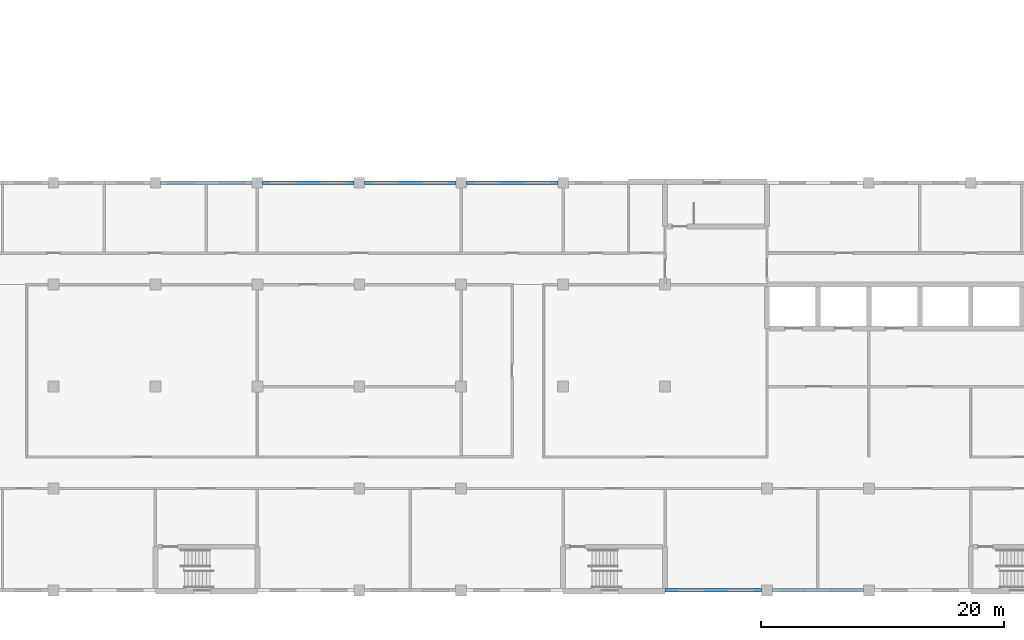
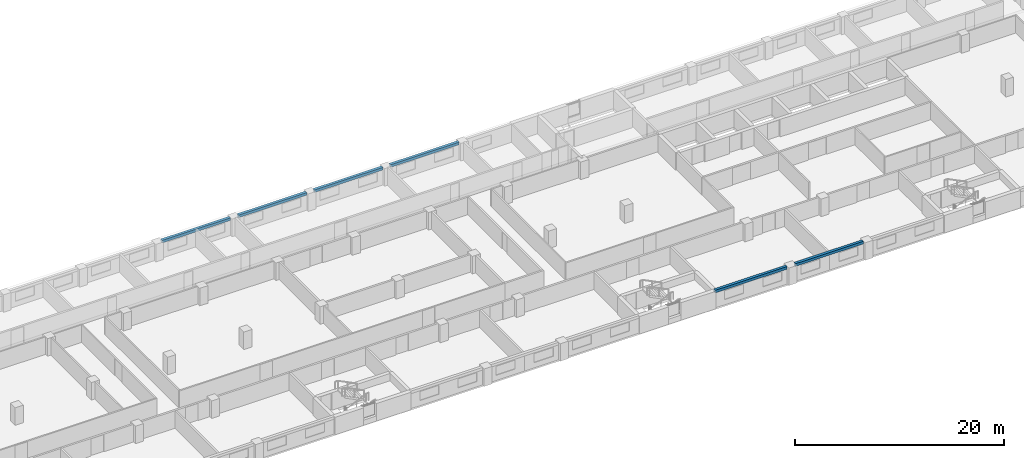
# One storey, part 11 of 48: 6 beams.
"""IFC4 building model written with IfcOpenShell, lengths in metres."""

from ifc_helpers import new_model, si_unit, direction, frame, origin, origin_2d, place, context, subcontext, project, spatial, rectangle, extrude, material, material_profile, profile_set, type_object, element, save


model = new_model("IFC4")

# Units and contexts
model_context = context("Model", 3, precision=1e-05, world=origin(), true_north=direction((0.0, 1.0)))
body_context = subcontext(model_context, "Body", "Model", "MODEL_VIEW")
ifc_project = project(units=[si_unit("LENGTHUNIT", "METRE"), si_unit("AREAUNIT", "SQUARE_METRE"), si_unit("VOLUMEUNIT", "CUBIC_METRE"), si_unit("PLANEANGLEUNIT", "RADIAN"), si_unit("MASSUNIT", "GRAM", prefix="KILO")], contexts=[model_context])

# Site, building, storey
site_placement = place(None, origin())
site = spatial("IfcSite", under=ifc_project, at=site_placement, CompositionType="ELEMENT")
building_placement = place(site_placement, origin())
building = spatial("IfcBuilding", under=site, at=building_placement, Name="Yavir Park General Hospital", CompositionType="ELEMENT")
storey_placement = place(building_placement, frame((0.0, 0.0, 12.89990234375)))
storey = spatial("IfcBuildingStorey", under=building, at=storey_placement, Name="I02", CompositionType="ELEMENT", Elevation=12.89990234375)

# Beams
ifc_material = material(Name="Concrete C35/45", Category="concrete")
ifc_material_profile = material_profile(ifc_material, rectangle(XDim=0.300048828125, YDim=0.300048828125, at=origin_2d()), Name="RC300x300")
ifc_profile_set = profile_set([ifc_material_profile], Name="Concrete C35/45")
beam_type = type_object("IfcBeamType", Name="RC BEAM 300x300 edge beam", PredefinedType="BEAM", material=ifc_profile_set)
beam_1_placement = place(storey_placement, frame((109.199951171875, 0.0, 1.89013671875), z_axis=(1.0, 0.0, 0.0), x_axis=(0.0, 1.0, 0.0)))
element("IfcBeam", 1, at=beam_1_placement, inside=storey, type_object=beam_type, Name="B:EDGE:I02:011", PredefinedType="BEAM", context=body_context, shape_type="SweptSolid", body=[
    extrude(rectangle(XDim=0.300048828125, YDim=0.300048828125, at=origin_2d()), origin(), (0.0, 0.0, 1.0), 7.949951171875),
])
beam_2_placement = place(storey_placement, frame((118.050048828125, 0.0, 1.89013671875), z_axis=(1.0, 0.0, 0.0), x_axis=(0.0, 1.0, 0.0)))
element("IfcBeam", 2, at=beam_2_placement, inside=storey, type_object=beam_type, Name="B:EDGE:I02:012", PredefinedType="BEAM", context=body_context, shape_type="SweptSolid", body=[
    extrude(rectangle(XDim=0.300048828125, YDim=0.300048828125, at=origin_2d()), origin(), (0.0, 0.0, 1.0), 7.5),
])
for number, where, z_axis, x_axis, name in (
    (3, (67.625, 33.60009765625, 1.89013671875), (1.0, 0.0, 0.0), (0.0, 1.0, 0.0), "B:EDGE:I02:020"),
    (4, (76.02490234375, 33.60009765625, 1.89013671875), (1.0, 0.0, 0.0), (0.0, 1.0, 0.0), "B:EDGE:I02:021"),
    (5, (84.425048828125, 33.60009765625, 1.89013671875), (1.0, 0.0, 0.0), (0.0, 1.0, 0.0), "B:EDGE:I02:022"),
    (6, (92.824951171875, 33.60009765625, 1.89013671875), (1.0, 0.0, 0.0), (0.0, 1.0, 0.0), "B:EDGE:I02:023"),
):
    element("IfcBeam", number, at=place(storey_placement, frame(where, z_axis=z_axis, x_axis=x_axis)), inside=storey, type_object=beam_type, Name=name, PredefinedType="BEAM", context=body_context, shape_type="SweptSolid", body=[
        extrude(rectangle(XDim=0.300048828125, YDim=0.300048828125, at=origin_2d()), origin(), (0.0, 0.0, 1.0), 7.550048828125),
    ])

save(model, "model.ifc")
